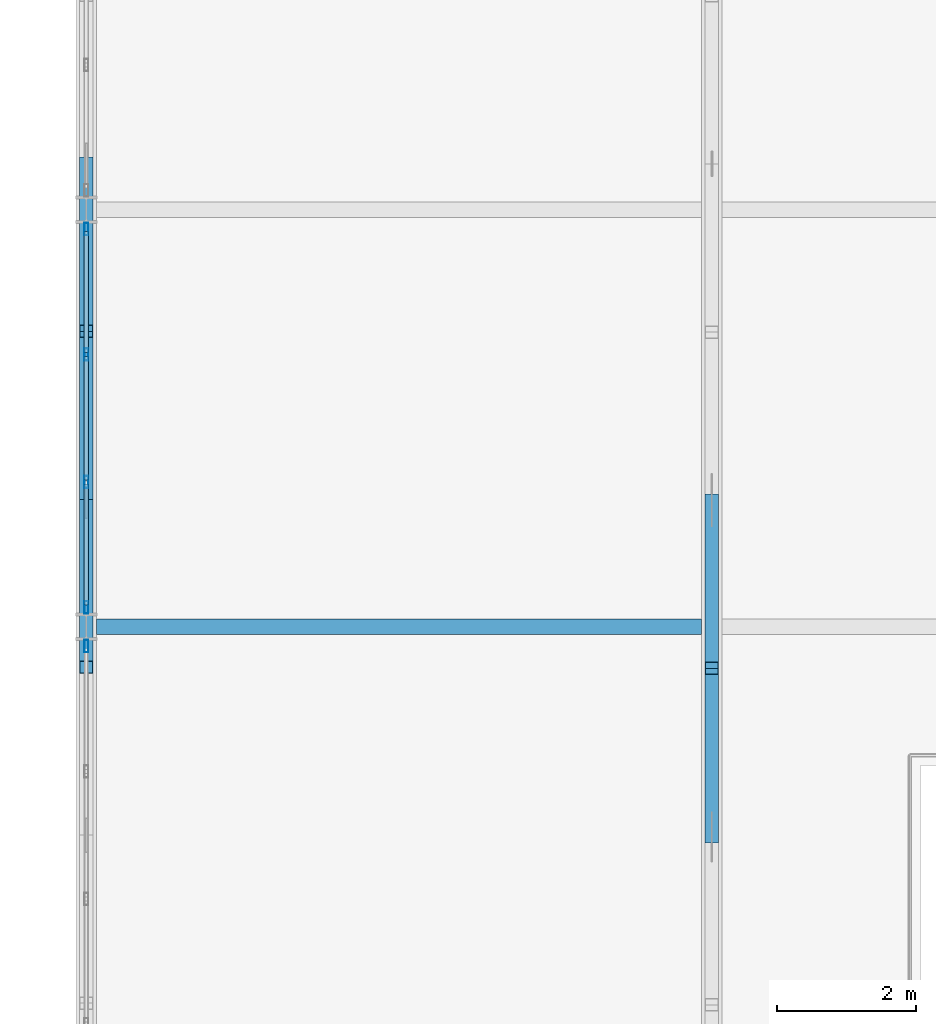
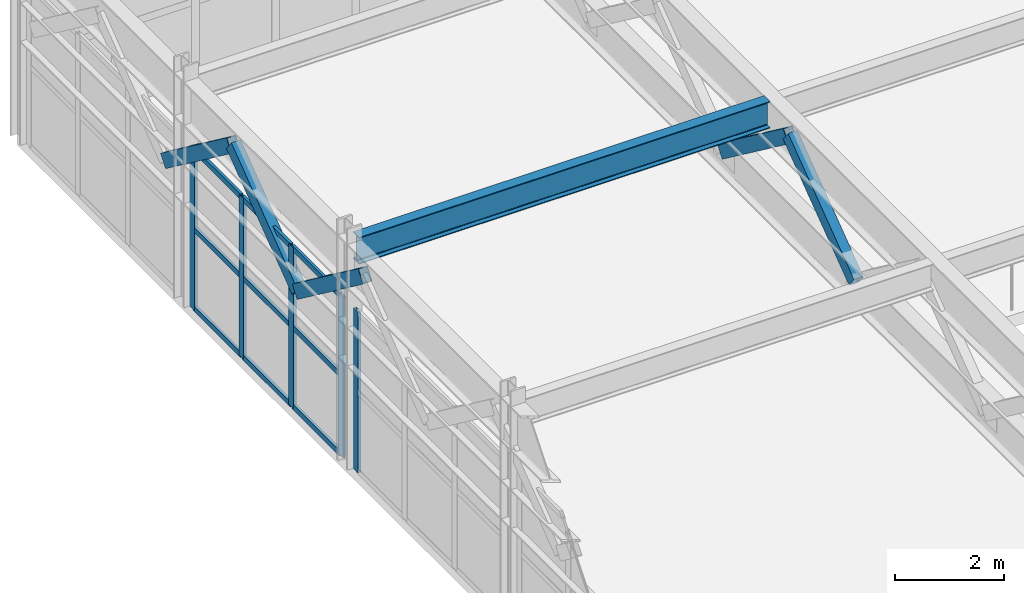
# One storey, part 29 of 210: 19 members, 1 beam, 2 elements without a shape of their own.
"""IFC4 building model written with IfcOpenShell, lengths in metres."""

from ifc_helpers import new_model, si_unit, direction, frame, origin, origin_2d, place, context, subcontext, project, spatial, hollow_rectangle, i_section, extrude, material, material_profile, profile_set, type_object, element, aggregate, save


model = new_model("IFC4")

# Units and contexts
model_context = context("Model", 3, precision=1e-05, world=origin(), true_north=direction((0.0, 1.0)))
body_context = subcontext(model_context, "Body", "Model", "MODEL_VIEW")
ifc_project = project(units=[si_unit("LENGTHUNIT", "METRE"), si_unit("AREAUNIT", "SQUARE_METRE"), si_unit("VOLUMEUNIT", "CUBIC_METRE"), si_unit("PLANEANGLEUNIT", "RADIAN"), si_unit("MASSUNIT", "GRAM", prefix="KILO")], contexts=[model_context])

# Site, building, storey
site_placement = place(None, origin())
site = spatial("IfcSite", under=ifc_project, at=site_placement, CompositionType="ELEMENT")
building_placement = place(site_placement, origin())
building = spatial("IfcBuilding", under=site, at=building_placement, Name="Kaldris Quays Convention Centre", CompositionType="ELEMENT")
storey_placement = place(building_placement, frame((0.0, 0.0, 6.0)))
storey = spatial("IfcBuildingStorey", under=building, at=storey_placement, Name="L01", CompositionType="ELEMENT", Elevation=6.0)

# Curtain wall, member
ifc_material_1 = material(Name="Anodized aluminium AW-6060 and triple glazing", Category="aluminium")
curtain_wall_type = type_object("IfcCurtainWallType", Name="UNITISED CURTAIN WALL CW05", PredefinedType="NOTDEFINED", material=ifc_material_1)
curtain_wall_1_placement = place(storey_placement, origin())
curtain_wall_1 = element("IfcCurtainWall", 1, at=curtain_wall_1_placement, inside=storey, type_object=curtain_wall_type, Name="L01 Unitised Curtain Wall CW05 75", PredefinedType="NOTDEFINED")
ifc_material_2 = material(Name="Anodized aluminium AW-6060", Category="aluminium")
ifc_material_profile_1 = material_profile(ifc_material_2, hollow_rectangle(XDim=0.06005859375, YDim=0.179931640625, WallThickness=0.0048828125, at=origin_2d()), Name="RHS 180x60x5")
ifc_profile_set_1 = profile_set([ifc_material_profile_1], Name="Anodized aluminium AW-6060")
member_type_1 = type_object("IfcMemberType", Name="CURTAIN MULLION CWM2", PredefinedType="MULLION", material=ifc_profile_set_1)
member_1_placement = place(storey_placement, frame((20.0, 33.719970703125, 0.0), z_axis=(0.0, 0.0, 1.0), x_axis=(-1.0, 0.0, 0.0)))
member_1 = element("IfcMember", 2, at=member_1_placement, type_object=member_type_1, Name="CW05 mullion 4", PredefinedType="MULLION", context=body_context, shape_type="SweptSolid", body=[
    extrude(hollow_rectangle(XDim=0.06005859375, YDim=0.179931640625, WallThickness=0.0048828125, at=origin_2d()), origin(), (0.0, 0.0, 1.0), 3.60009765625),
])
aggregate(curtain_wall_1, [member_1])

# Curtain wall, members
curtain_wall_2_placement = place(storey_placement, origin())
curtain_wall_2 = element("IfcCurtainWall", 3, at=curtain_wall_2_placement, inside=storey, type_object=curtain_wall_type, Name="L01 Unitised Curtain Wall CW05 76", PredefinedType="NOTDEFINED")
member_2_placement = place(storey_placement, frame((20.0, 34.280029296875, 0.0), z_axis=(0.0, 0.0, 1.0), x_axis=(-1.0, 0.0, 0.0)))
member_2 = element("IfcMember", 4, at=member_2_placement, type_object=member_type_1, Name="CW05 mullion 1", PredefinedType="MULLION", context=body_context, shape_type="SweptSolid", body=[
    extrude(hollow_rectangle(XDim=0.06005859375, YDim=0.179931640625, WallThickness=0.0048828125, at=origin_2d()), origin(), (0.0, 0.0, 1.0), 3.60009765625),
])
member_3_placement = place(storey_placement, frame((20.0, 36.083251953125, 0.0), z_axis=(0.0, 0.0, 1.0), x_axis=(-1.0, 0.0, 0.0)))
member_3 = element("IfcMember", 5, at=member_3_placement, type_object=member_type_1, Name="CW05 mullion 2", PredefinedType="MULLION", context=body_context, shape_type="SweptSolid", body=[
    extrude(hollow_rectangle(XDim=0.06005859375, YDim=0.179931640625, WallThickness=0.0048828125, at=origin_2d()), origin(), (0.0, 0.0, 1.0), 3.60009765625),
])
member_4_placement = place(storey_placement, frame((20.0, 37.916748046875, 0.0), z_axis=(0.0, 0.0, 1.0), x_axis=(-1.0, 0.0, 0.0)))
member_4 = element("IfcMember", 6, at=member_4_placement, type_object=member_type_1, Name="CW05 mullion 3", PredefinedType="MULLION", context=body_context, shape_type="SweptSolid", body=[
    extrude(hollow_rectangle(XDim=0.06005859375, YDim=0.179931640625, WallThickness=0.0048828125, at=origin_2d()), origin(), (0.0, 0.0, 1.0), 3.60009765625),
])
member_5_placement = place(storey_placement, frame((20.0, 39.719970703125, 0.0), z_axis=(0.0, 0.0, 1.0), x_axis=(-1.0, 0.0, 0.0)))
member_5 = element("IfcMember", 7, at=member_5_placement, type_object=member_type_1, Name="CW05 mullion 4", PredefinedType="MULLION", context=body_context, shape_type="SweptSolid", body=[
    extrude(hollow_rectangle(XDim=0.06005859375, YDim=0.179931640625, WallThickness=0.0048828125, at=origin_2d()), origin(), (0.0, 0.0, 1.0), 3.60009765625),
])
ifc_material_profile_2 = material_profile(ifc_material_2, hollow_rectangle(XDim=0.06005859375, YDim=0.1201171875, WallThickness=0.00390625, at=origin_2d()), Name="RHS 120x60x4")
ifc_profile_set_2 = profile_set([ifc_material_profile_2], Name="Anodized aluminium AW-6060")
member_type_2 = type_object("IfcMemberType", Name="CURTAIN TRANSOM CWT1", PredefinedType="USERDEFINED", material=ifc_profile_set_2)
member_6_placement = place(storey_placement, frame((20.0, 34.31005859375, 0.030029296875), z_axis=(0.0, 1.0, 0.0), x_axis=(-1.0, 0.0, 0.0)))
member_6 = element("IfcMember", 8, at=member_6_placement, type_object=member_type_2, Name="CW05 transom 1.1", ObjectType="TRANSOM", PredefinedType="USERDEFINED", context=body_context, shape_type="SweptSolid", body=[
    extrude(hollow_rectangle(XDim=0.06005859375, YDim=0.1201171875, WallThickness=0.00390625, at=origin_2d()), origin(), (0.0, 0.0, 1.0), 1.7431640625),
])
member_7_placement = place(storey_placement, frame((20.0, 34.31005859375, 1.800048828125), z_axis=(0.0, 1.0, 0.0), x_axis=(-1.0, 0.0, 0.0)))
member_7 = element("IfcMember", 9, at=member_7_placement, type_object=member_type_2, Name="CW05 transom 1.2", ObjectType="TRANSOM", PredefinedType="USERDEFINED", context=body_context, shape_type="SweptSolid", body=[
    extrude(hollow_rectangle(XDim=0.06005859375, YDim=0.1201171875, WallThickness=0.00390625, at=origin_2d()), origin(), (0.0, 0.0, 1.0), 1.7431640625),
])
member_8_placement = place(storey_placement, frame((20.0, 34.31005859375, 3.570068359375), z_axis=(0.0, 1.0, 0.0), x_axis=(-1.0, 0.0, 0.0)))
member_8 = element("IfcMember", 10, at=member_8_placement, type_object=member_type_2, Name="CW05 transom 1.3", ObjectType="TRANSOM", PredefinedType="USERDEFINED", context=body_context, shape_type="SweptSolid", body=[
    extrude(hollow_rectangle(XDim=0.06005859375, YDim=0.1201171875, WallThickness=0.00390625, at=origin_2d()), origin(), (0.0, 0.0, 1.0), 1.7431640625),
])
member_9_placement = place(storey_placement, frame((20.0, 36.11328125, 0.030029296875), z_axis=(0.0, 1.0, 0.0), x_axis=(-1.0, 0.0, 0.0)))
member_9 = element("IfcMember", 11, at=member_9_placement, type_object=member_type_2, Name="CW05 transom 2.1", ObjectType="TRANSOM", PredefinedType="USERDEFINED", context=body_context, shape_type="SweptSolid", body=[
    extrude(hollow_rectangle(XDim=0.06005859375, YDim=0.1201171875, WallThickness=0.00390625, at=origin_2d()), origin(), (0.0, 0.0, 1.0), 1.7734375),
])
member_10_placement = place(storey_placement, frame((20.0, 36.11328125, 1.800048828125), z_axis=(0.0, 1.0, 0.0), x_axis=(-1.0, 0.0, 0.0)))
member_10 = element("IfcMember", 12, at=member_10_placement, type_object=member_type_2, Name="CW05 transom 2.2", ObjectType="TRANSOM", PredefinedType="USERDEFINED", context=body_context, shape_type="SweptSolid", body=[
    extrude(hollow_rectangle(XDim=0.06005859375, YDim=0.1201171875, WallThickness=0.00390625, at=origin_2d()), origin(), (0.0, 0.0, 1.0), 1.7734375),
])
member_11_placement = place(storey_placement, frame((20.0, 36.11328125, 3.570068359375), z_axis=(0.0, 1.0, 0.0), x_axis=(-1.0, 0.0, 0.0)))
member_11 = element("IfcMember", 13, at=member_11_placement, type_object=member_type_2, Name="CW05 transom 2.3", ObjectType="TRANSOM", PredefinedType="USERDEFINED", context=body_context, shape_type="SweptSolid", body=[
    extrude(hollow_rectangle(XDim=0.06005859375, YDim=0.1201171875, WallThickness=0.00390625, at=origin_2d()), origin(), (0.0, 0.0, 1.0), 1.7734375),
])
member_12_placement = place(storey_placement, frame((20.0, 37.94677734375, 0.030029296875), z_axis=(0.0, 1.0, 0.0), x_axis=(-1.0, 0.0, 0.0)))
member_12 = element("IfcMember", 14, at=member_12_placement, type_object=member_type_2, Name="CW05 transom 3.1", ObjectType="TRANSOM", PredefinedType="USERDEFINED", context=body_context, shape_type="SweptSolid", body=[
    extrude(hollow_rectangle(XDim=0.06005859375, YDim=0.1201171875, WallThickness=0.00390625, at=origin_2d()), origin(), (0.0, 0.0, 1.0), 1.7431640625),
])
member_13_placement = place(storey_placement, frame((20.0, 37.94677734375, 1.800048828125), z_axis=(0.0, 1.0, 0.0), x_axis=(-1.0, 0.0, 0.0)))
member_13 = element("IfcMember", 15, at=member_13_placement, type_object=member_type_2, Name="CW05 transom 3.2", ObjectType="TRANSOM", PredefinedType="USERDEFINED", context=body_context, shape_type="SweptSolid", body=[
    extrude(hollow_rectangle(XDim=0.06005859375, YDim=0.1201171875, WallThickness=0.00390625, at=origin_2d()), origin(), (0.0, 0.0, 1.0), 1.7431640625),
])
member_14_placement = place(storey_placement, frame((20.0, 37.94677734375, 3.570068359375), z_axis=(0.0, 1.0, 0.0), x_axis=(-1.0, 0.0, 0.0)))
member_14 = element("IfcMember", 16, at=member_14_placement, type_object=member_type_2, Name="CW05 transom 3.3", ObjectType="TRANSOM", PredefinedType="USERDEFINED", context=body_context, shape_type="SweptSolid", body=[
    extrude(hollow_rectangle(XDim=0.06005859375, YDim=0.1201171875, WallThickness=0.00390625, at=origin_2d()), origin(), (0.0, 0.0, 1.0), 1.7431640625),
])
aggregate(curtain_wall_2, [member_2, member_3, member_4, member_5, member_6, member_7, member_8, member_9, member_10, member_11, member_12, member_13, member_14])

# Beam
ifc_material_3 = material(Name="Steel S355J2", Category="steel")
ifc_material_profile_3 = material_profile(ifc_material_3, i_section(OverallWidth=0.219970703125, OverallDepth=0.60009765625, WebThickness=0.011962890625, FlangeThickness=0.01904296875, FilletRadius=0.02392578125, at=origin_2d()), Name="IPE 600")
ifc_profile_set_3 = profile_set([ifc_material_profile_3], Name="Steel S355J2")
beam_type = type_object("IfcBeamType", Name="STRUCTURAL BEAM BM10", PredefinedType="BEAM", material=ifc_profile_set_3)
beam_placement = place(storey_placement, frame((20.14501953125, 34.0, 4.758056640625), z_axis=(1.0, 0.0, 0.0), x_axis=(0.0, 1.0, 0.0)))
element("IfcBeam", 17, at=beam_placement, inside=storey, type_object=beam_type, Name="L01 Ballroom Tie Beam BM10", PredefinedType="BEAM", context=body_context, shape_type="SweptSolid", body=[
    extrude(i_section(OverallWidth=0.219970703125, OverallDepth=0.60009765625, WebThickness=0.011962890625, FlangeThickness=0.01904296875, FilletRadius=0.02392578125, at=origin_2d()), origin(), (0.0, 0.0, 1.0), 8.7099609375),
])

# Members
ifc_material_4 = material(Name="Steel S355J2H", Category="steel")
ifc_material_profile_4 = material_profile(ifc_material_4, hollow_rectangle(XDim=0.199951171875, YDim=0.300048828125, WallThickness=0.012451171875, at=origin_2d()), Name="RHS 300x200x12.5")
ifc_profile_set_4 = profile_set([ifc_material_profile_4], Name="Steel S355J2H")
member_type_3 = type_object("IfcMemberType", Name="STRUCTURAL MEMBER TTD1", PredefinedType="BRACE", material=ifc_profile_set_4)
member_15_placement = place(storey_placement, frame((20.0, 35.833251953125, 2.75), z_axis=(0.0, -0.800678988238, 0.599093613548), x_axis=(1.0, 0.0, 0.0)))
element("IfcMember", 18, at=member_15_placement, inside=storey, type_object=member_type_3, Name="Transfer Truss TT01 Diagonal 8", PredefinedType="BRACE", context=body_context, shape_type="SweptSolid", body=[
    extrude(hollow_rectangle(XDim=0.199951171875, YDim=0.300048828125, WallThickness=0.012451171875, at=origin_2d()), origin(), (0.0, 0.0, 1.0), 3.01806640625),
])
for number, where, z_axis, x_axis, name in (
    (19, (20.0, 35.833251953125, 2.75), (0.0, 0.800708018983, 0.599054812464), (-1.0, 0.0, 0.0), "Transfer Truss TT01 Diagonal 9"),
    (20, (20.0, 40.666748046875, 2.75), (0.0, -0.800708018983, 0.599054812464), (1.0, 0.0, 0.0), "Transfer Truss TT01 Diagonal 10"),
):
    element("IfcMember", number, at=place(storey_placement, frame(where, z_axis=z_axis, x_axis=x_axis)), inside=storey, type_object=member_type_3, Name=name, PredefinedType="BRACE", context=body_context, shape_type="SweptSolid", body=[
        extrude(hollow_rectangle(XDim=0.199951171875, YDim=0.300048828125, WallThickness=0.012451171875, at=origin_2d()), origin(), (0.0, 0.0, 1.0), 3.018310546875),
    ])
member_16_placement = place(storey_placement, frame((29.0, 30.97998046875, 2.75), z_axis=(0.0, 0.801084905857, 0.598550727681), x_axis=(-1.0, 0.0, 0.0)))
element("IfcMember", 21, at=member_16_placement, inside=storey, type_object=member_type_3, Name="Transfer Truss TT02 Diagonal 5", PredefinedType="BRACE", context=body_context, shape_type="SweptSolid", body=[
    extrude(hollow_rectangle(XDim=0.199951171875, YDim=0.300048828125, WallThickness=0.012451171875, at=origin_2d()), origin(), (0.0, 0.0, 1.0), 3.020751953125),
])
member_17_placement = place(storey_placement, frame((29.0, 35.820068359375, 2.75), z_axis=(0.0, -0.801113857753, 0.598511977254), x_axis=(1.0, 0.0, 0.0)))
element("IfcMember", 22, at=member_17_placement, inside=storey, type_object=member_type_3, Name="Transfer Truss TT02 Diagonal 6", PredefinedType="BRACE", context=body_context, shape_type="SweptSolid", body=[
    extrude(hollow_rectangle(XDim=0.199951171875, YDim=0.300048828125, WallThickness=0.012451171875, at=origin_2d()), origin(), (0.0, 0.0, 1.0), 3.02099609375),
])

save(model, "model.ifc")
